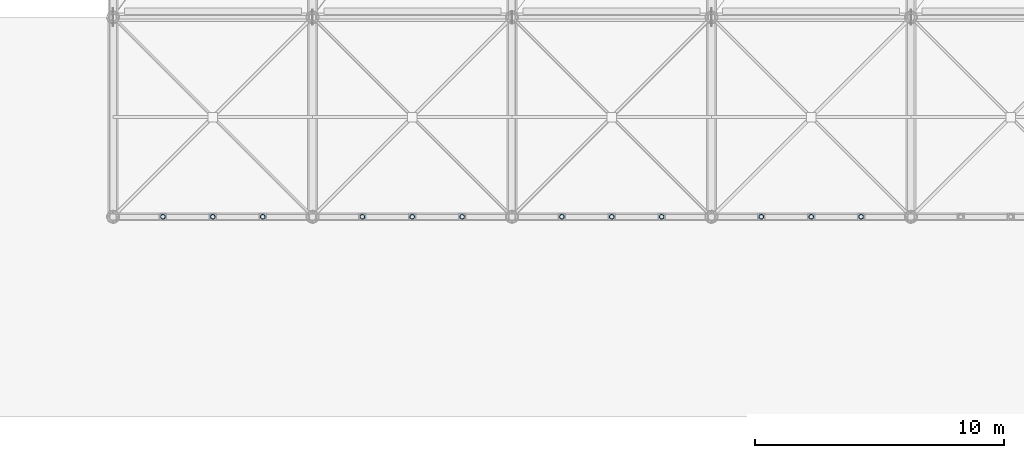
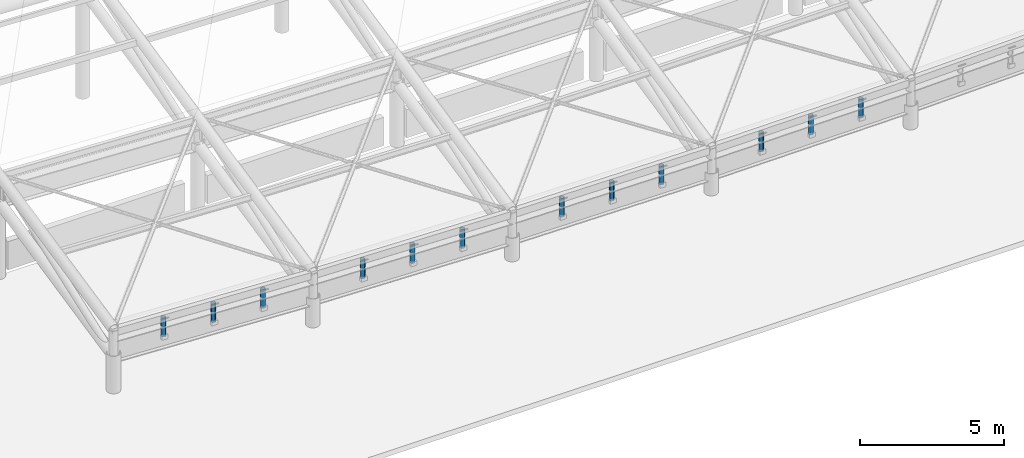
# One storey, part 39 of 78: 12 members.
"""IFC4 building model written with IfcOpenShell, lengths in metres."""

from ifc_helpers import new_model, si_unit, direction, frame, origin, origin_2d, place, context, subcontext, project, spatial, hollow_circle, extrude, material, material_profile, profile_set, type_object, element, save


model = new_model("IFC4")

# Units and contexts
model_context = context("Model", 3, precision=1e-05, world=origin(), true_north=direction((0.0, 1.0)))
body_context = subcontext(model_context, "Body", "Model", "MODEL_VIEW")
ifc_project = project(units=[si_unit("LENGTHUNIT", "METRE"), si_unit("AREAUNIT", "SQUARE_METRE"), si_unit("VOLUMEUNIT", "CUBIC_METRE"), si_unit("PLANEANGLEUNIT", "RADIAN"), si_unit("MASSUNIT", "GRAM", prefix="KILO")], contexts=[model_context])

# Site, building, storey
site_placement = place(None, origin())
site = spatial("IfcSite", under=ifc_project, at=site_placement, CompositionType="ELEMENT")
building_placement = place(site_placement, origin())
building = spatial("IfcBuilding", under=site, at=building_placement, Name="Haebicheon Civic Stadium", CompositionType="ELEMENT")
storey_placement = place(building_placement, frame((0.0, 0.0, 18.60009765625)))
storey = spatial("IfcBuildingStorey", under=building, at=storey_placement, Name="L05", CompositionType="ELEMENT", Elevation=18.60009765625)

# Members
ifc_material = material(Name="White painted steel SM490", Category="steel")
ifc_material_profile = material_profile(ifc_material, hollow_circle(Radius=0.095458984375, WallThickness=0.011962890625, at=origin_2d()), Name="CHS-190.7x12.0")
ifc_profile_set = profile_set([ifc_material_profile], Name="White painted steel SM490")
member_type = type_object("IfcMemberType", Name="HRD-CHS190", PredefinedType="USERDEFINED", material=ifc_profile_set)
for number, where, z_axis, x_axis, name in (
    (1, (82.0, 24.0, 1.594970703125), (0.0, 0.0, 1.0), (1.0, 0.0, 0.0), "CAN-SOUTH white vertical suspension rod 1.1"),
    (2, (84.0, 24.0, 1.5029296875), (0.0, 0.0, 1.0), (1.0, 0.0, 0.0), "CAN-SOUTH white vertical suspension rod 1.2"),
    (3, (86.0, 24.0, 1.411865234375), (0.0, 0.0, 1.0), (1.0, 0.0, 0.0), "CAN-SOUTH white vertical suspension rod 1.3"),
    (4, (90.0, 24.0, 1.264892578125), (0.0, 0.0, 1.0), (1.0, 0.0, 0.0), "CAN-SOUTH white vertical suspension rod 2.1"),
    (5, (92.0, 24.0, 1.2099609375), (0.0, 0.0, 1.0), (1.0, 0.0, 0.0), "CAN-SOUTH white vertical suspension rod 2.2"),
    (6, (94.0, 24.0, 1.15478515625), (0.0, 0.0, 1.0), (1.0, 0.0, 0.0), "CAN-SOUTH white vertical suspension rod 2.3"),
    (7, (98.0, 24.0, 1.081787109375), (0.0, 0.0, 1.0), (1.0, 0.0, 0.0), "CAN-SOUTH white vertical suspension rod 3.1"),
    (8, (100.0, 24.0, 1.06396484375), (0.0, 0.0, 1.0), (1.0, 0.0, 0.0), "CAN-SOUTH white vertical suspension rod 3.2"),
    (9, (102.0, 24.0, 1.044921875), (0.0, 0.0, 1.0), (1.0, 0.0, 0.0), "CAN-SOUTH white vertical suspension rod 3.3"),
    (10, (106.0, 24.0, 1.044921875), (0.0, 0.0, 1.0), (1.0, 0.0, 0.0), "CAN-SOUTH white vertical suspension rod 4.1"),
    (11, (108.0, 24.0, 1.06396484375), (0.0, 0.0, 1.0), (1.0, 0.0, 0.0), "CAN-SOUTH white vertical suspension rod 4.2"),
    (12, (110.0, 24.0, 1.081787109375), (0.0, 0.0, 1.0), (1.0, 0.0, 0.0), "CAN-SOUTH white vertical suspension rod 4.3"),
):
    element("IfcMember", number, at=place(storey_placement, frame(where, z_axis=z_axis, x_axis=x_axis)), inside=storey, type_object=member_type, material=ifc_profile_set, Name=name, ObjectType="HANGER ROD", PredefinedType="USERDEFINED", context=body_context, shape_type="SweptSolid", body=[
        extrude(hollow_circle(Radius=0.095458984375, WallThickness=0.011962890625, at=origin_2d()), origin(), (0.0, 0.0, 1.0), 0.800048828125),
    ])

save(model, "model.ifc")
